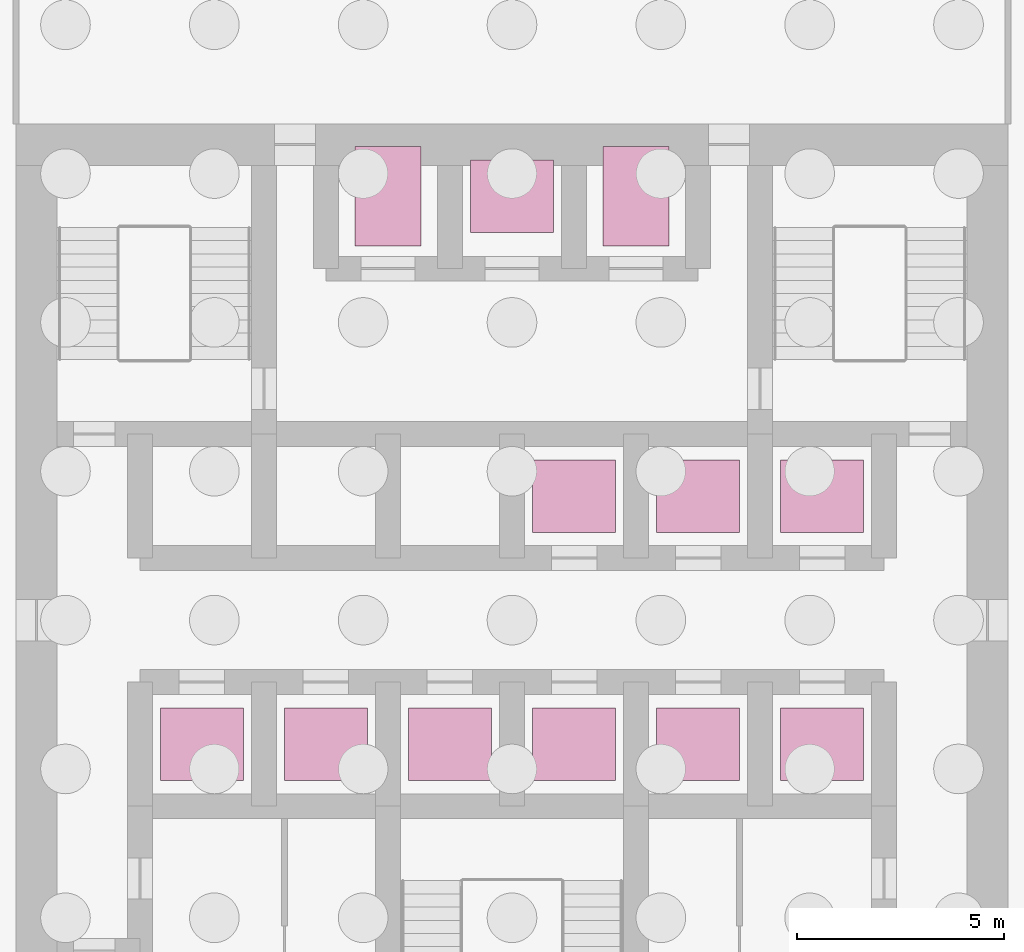
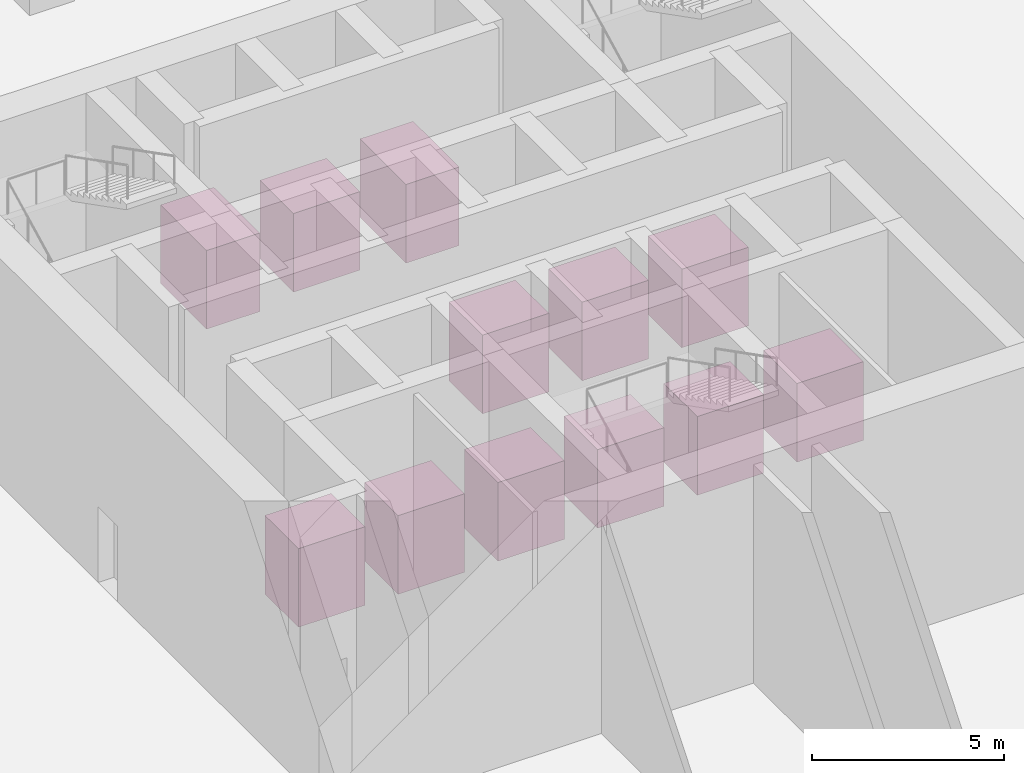
# One storey, part 10 of 10: 12 transport elements.
"""IFC4 building model written with IfcOpenShell, lengths in metres."""

from ifc_helpers import new_model, si_unit, direction, frame, origin, origin_2d, place, context, subcontext, project, spatial, rectangle, extrude, material, type_object, element, save


model = new_model("IFC4")

# Units and contexts
model_context = context("Model", 3, precision=1e-05, world=origin(), true_north=direction((0.0, 1.0)))
body_context = subcontext(model_context, "Body", "Model", "MODEL_VIEW")
ifc_project = project(units=[si_unit("LENGTHUNIT", "METRE"), si_unit("AREAUNIT", "SQUARE_METRE"), si_unit("VOLUMEUNIT", "CUBIC_METRE"), si_unit("PLANEANGLEUNIT", "RADIAN"), si_unit("MASSUNIT", "GRAM", prefix="KILO")], contexts=[model_context])

# Site, building, storey
site_placement = place(None, origin())
site = spatial("IfcSite", under=ifc_project, at=site_placement, CompositionType="ELEMENT")
building_placement = place(site_placement, origin())
building = spatial("IfcBuilding", under=site, at=building_placement, Name="Tarangal Relay Tower", CompositionType="ELEMENT")
storey_placement = place(building_placement, origin())
storey = spatial("IfcBuildingStorey", under=building, at=storey_placement, Name="L00", CompositionType="ELEMENT", Elevation=0.0)

# Transport elements
ifc_material = material(Name="Stainless steel lift car", Category="steel")
transport_element_type_1 = type_object("IfcTransportElementType", Name="Express lift car 2000 kg", PredefinedType="ELEVATOR", material=ifc_material)
for number, where, z_axis, x_axis, name in (
    (1, (0.0, 10.25, 0.0), (0.0, 0.0, 1.0), (1.0, 0.0, 0.0), "Lift SV1"),
    (2, (-7.5, -3.0, 0.0), (0.0, 0.0, 1.0), (1.0, 0.0, 0.0), "Lift S1"),
    (3, (-4.5, -3.0, 0.0), (0.0, 0.0, 1.0), (1.0, 0.0, 0.0), "Lift S2"),
    (4, (-1.5, -3.0, 0.0), (0.0, 0.0, 1.0), (1.0, 0.0, 0.0), "Lift S3"),
    (5, (1.5, -3.0, 0.0), (0.0, 0.0, 1.0), (1.0, 0.0, 0.0), "Lift OH1"),
    (6, (4.5, -3.0, 0.0), (0.0, 0.0, 1.0), (1.0, 0.0, 0.0), "Lift OH2"),
    (7, (7.5, -3.0, 0.0), (0.0, 0.0, 1.0), (1.0, 0.0, 0.0), "Lift OH3"),
):
    element("IfcTransportElement", number, at=place(storey_placement, frame(where, z_axis=z_axis, x_axis=x_axis)), inside=storey, type_object=transport_element_type_1, Name=name, PredefinedType="ELEVATOR", context=body_context, shape_type="SweptSolid", body=[
        extrude(rectangle(XDim=2.0, YDim=1.75, at=origin_2d()), origin(), (0.0, 0.0, 1.0), 2.5),
    ])
transport_element_type_2 = type_object("IfcTransportElementType", Name="Fire-fighting lift car 1600 kg", PredefinedType="ELEVATOR", material=ifc_material)
for number, where, z_axis, x_axis, name in (
    (8, (-3.0, 10.25, 0.0), (0.0, 0.0, 1.0), (1.0, 0.0, 0.0), "Lift FF1"),
    (9, (3.0, 10.25, 0.0), (0.0, 0.0, 1.0), (1.0, 0.0, 0.0), "Lift FF2"),
):
    element("IfcTransportElement", number, at=place(storey_placement, frame(where, z_axis=z_axis, x_axis=x_axis)), inside=storey, type_object=transport_element_type_2, Name=name, PredefinedType="ELEVATOR", context=body_context, shape_type="SweptSolid", body=[
        extrude(rectangle(XDim=1.60009765625, YDim=2.39990234375, at=origin_2d()), origin(), (0.0, 0.0, 1.0), 2.5),
    ])
transport_element_type_3 = type_object("IfcTransportElementType", Name="Passenger lift car 1600 kg", PredefinedType="ELEVATOR", material=ifc_material)
for number, where, z_axis, x_axis, name in (
    (10, (1.5, 3.0, 0.0), (0.0, 0.0, 1.0), (1.0, 0.0, 0.0), "Lift T1"),
    (11, (4.5, 3.0, 0.0), (0.0, 0.0, 1.0), (1.0, 0.0, 0.0), "Lift T2"),
    (12, (7.5, 3.0, 0.0), (0.0, 0.0, 1.0), (1.0, 0.0, 0.0), "Lift T3"),
):
    element("IfcTransportElement", number, at=place(storey_placement, frame(where, z_axis=z_axis, x_axis=x_axis)), inside=storey, type_object=transport_element_type_3, Name=name, PredefinedType="ELEVATOR", context=body_context, shape_type="SweptSolid", body=[
        extrude(rectangle(XDim=2.0, YDim=1.75, at=origin_2d()), origin(), (0.0, 0.0, 1.0), 2.5),
    ])

save(model, "model.ifc")
